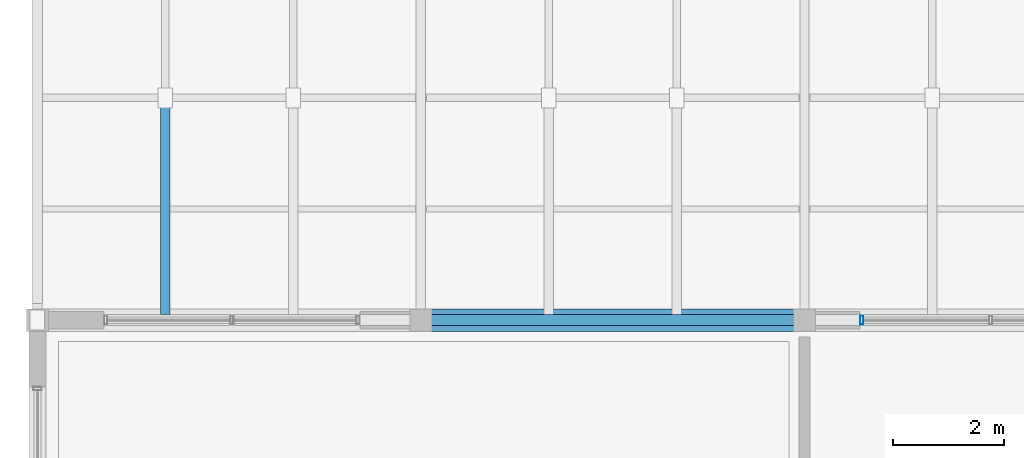
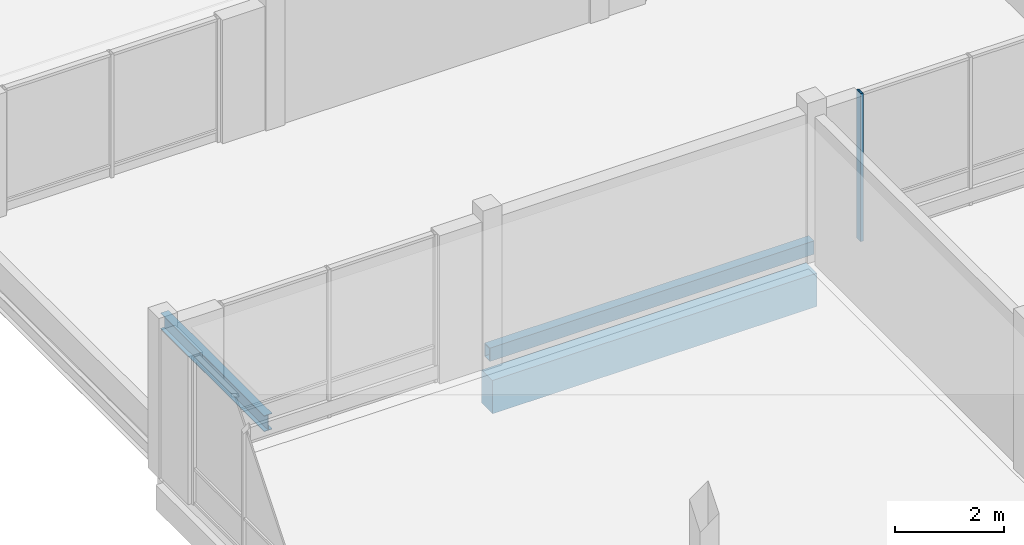
# One storey, part 29 of 189: 2 beams, 2 members, 1 element without a shape of its own.
"""IFC4 building model written with IfcOpenShell, lengths in metres."""

from ifc_helpers import new_model, si_unit, direction, frame, origin, origin_2d, place, context, subcontext, project, spatial, rectangle, hollow_rectangle, i_section, extrude, material, material_profile, profile_set, type_object, element, aggregate, save


model = new_model("IFC4")

# Units and contexts
model_context = context("Model", 3, precision=1e-05, world=origin(), true_north=direction((0.0, 1.0)))
body_context = subcontext(model_context, "Body", "Model", "MODEL_VIEW")
ifc_project = project(units=[si_unit("LENGTHUNIT", "METRE"), si_unit("AREAUNIT", "SQUARE_METRE"), si_unit("VOLUMEUNIT", "CUBIC_METRE"), si_unit("PLANEANGLEUNIT", "RADIAN"), si_unit("MASSUNIT", "GRAM", prefix="KILO")], contexts=[model_context])

# Site, building, storey
site_placement = place(None, origin())
site = spatial("IfcSite", under=ifc_project, at=site_placement, CompositionType="ELEMENT")
building_placement = place(site_placement, origin())
building = spatial("IfcBuilding", under=site, at=building_placement, Name="Zavelmont Quarter", CompositionType="ELEMENT")
storey_placement = place(building_placement, frame((0.0, 0.0, 4.39990234375)))
storey = spatial("IfcBuildingStorey", under=building, at=storey_placement, Name="L01", CompositionType="ELEMENT", Elevation=4.39990234375)

# Beams
ifc_material_1 = material(Name="Concrete C40/50", Category="concrete")
ifc_material_profile_1 = material_profile(ifc_material_1, rectangle(XDim=0.39990234375, YDim=0.75, at=origin_2d()), Name="RC400X750")
ifc_profile_set_1 = profile_set([ifc_material_profile_1], Name="Concrete C40/50")
beam_type_1 = type_object("IfcBeamType", Name="BM05", PredefinedType="BEAM", material=ifc_profile_set_1)
beam_1_placement = place(storey_placement, frame((6.89990234375, 54.0, -0.65478515625), z_axis=(1.0, 0.0, 0.0), x_axis=(0.0, 1.0, 0.0)))
element("IfcBeam", 1, at=beam_1_placement, inside=storey, type_object=beam_type_1, Name="L01 beam BM05 2/J to 3/J", PredefinedType="BEAM", context=body_context, shape_type="SweptSolid", body=[
    extrude(rectangle(XDim=0.39990234375, YDim=0.75, at=origin_2d()), origin(), (0.0, 0.0, 1.0), 6.900146484375),
])
ifc_material_2 = material(Name="Steel S355", Category="steel")
ifc_material_profile_2 = material_profile(ifc_material_2, hollow_rectangle(XDim=0.199951171875, YDim=0.300048828125, WallThickness=0.012451171875, at=origin_2d()), Name="RHS 300X200X12.5")
ifc_profile_set_2 = profile_set([ifc_material_profile_2], Name="Steel S355")
beam_type_2 = type_object("IfcBeamType", Name="BM16", PredefinedType="BEAM", material=ifc_profile_set_2)
beam_2_placement = place(storey_placement, frame((6.89990234375, 54.0, 0.235107421875), z_axis=(1.0, 0.0, 0.0), x_axis=(0.0, 1.0, 0.0)))
element("IfcBeam", 2, at=beam_2_placement, inside=storey, type_object=beam_type_2, Name="L01 beam BM16 2/J to 3/J", PredefinedType="BEAM", context=body_context, shape_type="SweptSolid", body=[
    extrude(hollow_rectangle(XDim=0.199951171875, YDim=0.300048828125, WallThickness=0.012451171875, at=origin_2d()), origin(), (0.0, 0.0, 1.0), 6.900146484375),
])

# Curtain wall, member
ifc_material_3 = material(Name="Thermally broken aluminium and double low-E safety glazing", Category="aluminium")
curtain_wall_type = type_object("IfcCurtainWallType", Name="CW-470X333", PredefinedType="NOTDEFINED", material=ifc_material_3)
curtain_wall_placement = place(storey_placement, origin())
curtain_wall = element("IfcCurtainWall", 3, at=curtain_wall_placement, inside=storey, type_object=curtain_wall_type, Name="L01 unitised curtain wall CW-470X333", PredefinedType="NOTDEFINED")
ifc_material_4 = material(Name="Powder-coated aluminium EN AW-6063-T6", Category="aluminium")
ifc_material_profile_3 = material_profile(ifc_material_4, hollow_rectangle(XDim=0.06005859375, YDim=0.159912109375, WallThickness=0.00390625, at=origin_2d()), Name="CWM60X160")
ifc_profile_set_3 = profile_set([ifc_material_profile_3], Name="Powder-coated aluminium EN AW-6063-T6")
member_type_1 = type_object("IfcMemberType", Name="CWM01", PredefinedType="MULLION", material=ifc_profile_set_3)
member_1_placement = place(storey_placement, frame((14.830078125, 54.0, 0.0), z_axis=(0.0, 0.0, 1.0), x_axis=(1.0, 0.0, 0.0)))
member_1 = element("IfcMember", 4, at=member_1_placement, type_object=member_type_1, Name="CW-470X333 mullion 1", PredefinedType="MULLION", context=body_context, shape_type="SweptSolid", body=[
    extrude(hollow_rectangle(XDim=0.06005859375, YDim=0.159912109375, WallThickness=0.00390625, at=origin_2d()), origin(), (0.0, 0.0, 1.0), 3.330078125),
])
aggregate(curtain_wall, [member_1])

# Member
ifc_material_profile_4 = material_profile(ifc_material_2, i_section(OverallWidth=0.169921875, OverallDepth=0.360107421875, WebThickness=0.008056640625, FlangeThickness=0.0126953125, at=origin_2d()), Name="IPE 360")
ifc_profile_set_4 = profile_set([ifc_material_profile_4], Name="Steel S355")
member_type_2 = type_object("IfcMemberType", Name="RFM2", PredefinedType="RAFTER", material=ifc_profile_set_4)
member_2_placement = place(storey_placement, frame((2.300048828125, 54.10009765625, 0.205078125), z_axis=(0.0, 1.0, 0.0), x_axis=(-1.0, 0.0, 0.0)))
element("IfcMember", 5, at=member_2_placement, inside=storey, type_object=member_type_2, Name="L01 member RFM2 1/J to 1/J", PredefinedType="RAFTER", context=body_context, shape_type="SweptSolid", body=[
    extrude(i_section(OverallWidth=0.169921875, OverallDepth=0.360107421875, WebThickness=0.008056640625, FlangeThickness=0.0126953125, at=origin_2d()), origin(), (0.0, 0.0, 1.0), 3.81982421875),
])

save(model, "model.ifc")
